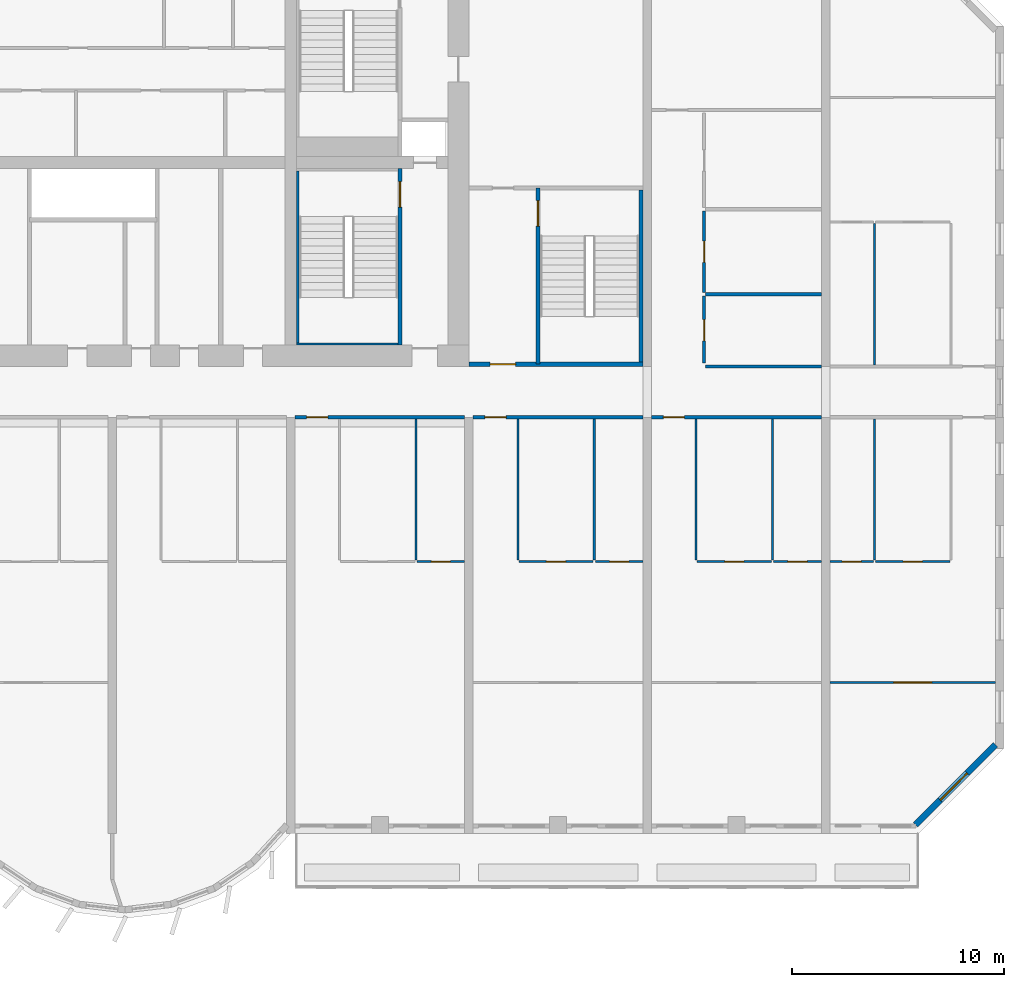
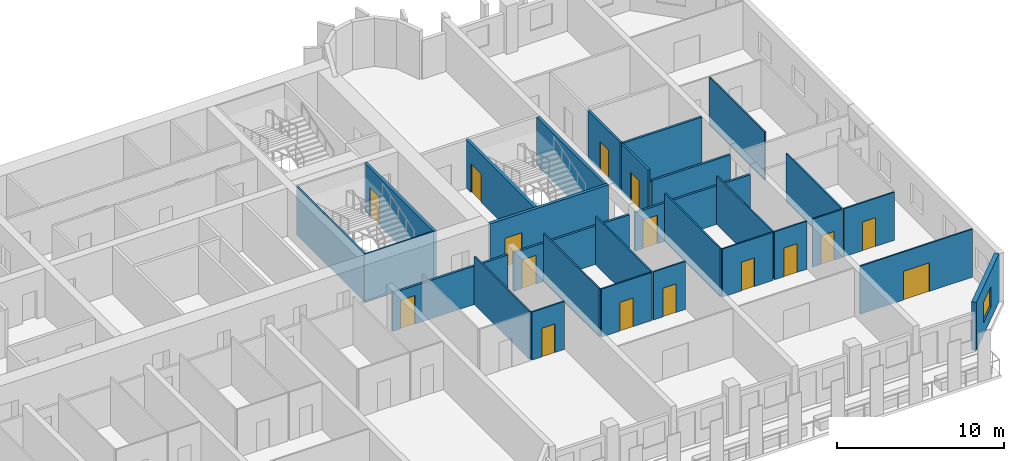
# One storey, part 9 of 15: 29 walls, 16 doors, 1 window, 17 openings.
"""IFC4 building model written with IfcOpenShell, lengths in metres."""

from ifc_helpers import new_model, si_unit, direction, frame, frame_2d, origin, place, context, subcontext, project, spatial, rectangle, extrude, source, transform, mapped, material, layer, layer_set, type_object, element, fill, save


model = new_model("IFC4")

# Units and contexts
model_context = context("Model", 3, precision=1e-05, world=origin(), true_north=direction((0.0, 1.0)))
body_context = subcontext(model_context, "Body", "Model", "MODEL_VIEW")
ifc_project = project(units=[si_unit("LENGTHUNIT", "METRE"), si_unit("AREAUNIT", "SQUARE_METRE"), si_unit("VOLUMEUNIT", "CUBIC_METRE"), si_unit("PLANEANGLEUNIT", "RADIAN"), si_unit("MASSUNIT", "GRAM", prefix="KILO")], contexts=[model_context])

# Site, building, storey
site_placement = place(None, origin())
site = spatial("IfcSite", under=ifc_project, at=site_placement, CompositionType="ELEMENT")
building_placement = place(site_placement, origin())
building = spatial("IfcBuilding", under=site, at=building_placement, Name="Vanashikhar Sky Hotel", CompositionType="ELEMENT")
storey_placement = place(building_placement, frame((0.0, 0.0, 62.0)))
storey = spatial("IfcBuildingStorey", under=building, at=storey_placement, Name="L14", CompositionType="ELEMENT", Elevation=62.0)

# Wall, opening, window
ifc_material_1 = material(Name="Concrete M50", Category="concrete")
ifc_layer_1 = layer(ifc_material_1, 0.300048828125)
ifc_layer_set_1 = layer_set([ifc_layer_1], Name="Lobe wall 300")
wall_type_1 = type_object("IfcWallType", Name="Lobe wall 300", PredefinedType="SOLIDWALL", material=ifc_layer_set_1)
shared_shape_1 = source(origin(), body_context, "Body", "SweptSolid", [
    extrude(rectangle(XDim=5.32568359375, YDim=0.300048828125, at=frame_2d((2.662841796875, 0.0))), origin(), (0.0, 0.0, 1.0), 3.52001953125),
])
wall_1_placement = place(storey_placement, frame((96.63427734375, 0.39990234375, 0.0), z_axis=(0.0, 0.0, 1.0), x_axis=(0.707083859269, 0.707129702361, 0.0)))
wall_1 = element("IfcWall", 1, at=wall_1_placement, inside=storey, type_object=wall_type_1, Name="Corner wall", PredefinedType="SOLIDWALL", context=body_context, shape_type="MappedRepresentation", body=[
    mapped(shared_shape_1, transform((0.0, 0.0, 0.0), scale=1.0)),
])
shared_shape_2 = source(origin(), body_context, "Body", "SweptSolid", [
    extrude(rectangle(XDim=1.800048828125, YDim=1.5, at=frame_2d((0.89990234375, 0.75))), frame((0.0, 0.16015625, 0.0), z_axis=(0.0, -1.0, 0.0), x_axis=(1.0, 0.0, 0.0)), (0.0, 0.0, 1.0), 0.320068359375),
])
opening_1_placement = place(wall_1_placement, frame((1.654296875, 0.0, 0.89990234375)))
opening_1 = element("IfcOpeningElement", 2, at=opening_1_placement, cuts=wall_1, Name="Opening WN-4", PredefinedType="OPENING", context=body_context, shape_type="MappedRepresentation", body=[
    mapped(shared_shape_2, transform((0.0, 0.0, 0.0), scale=1.0)),
])
ifc_material_2 = material(Name="Glass", Category="glass")
window_type = type_object("IfcWindowType", Name="Corner window 1800 x 1500", PartitioningType="SINGLE_PANEL", PredefinedType="WINDOW", material=ifc_material_2)
shared_shape_3 = source(origin(), body_context, "Body", "SweptSolid", [
    extrude(rectangle(XDim=1.800048828125, YDim=1.5, at=frame_2d((0.89990234375, 0.75))), frame((0.0, 0.030029296875, 0.0), z_axis=(0.0, -1.0, 0.0), x_axis=(1.0, 0.0, 0.0)), (0.0, 0.0, 1.0), 0.06005859375),
])
window_placement = place(opening_1_placement, origin())
window = element("IfcWindow", 3, at=window_placement, inside=storey, type_object=window_type, Name="Window WN-4", OverallHeight=1.5, OverallWidth=1.800048828125, PartitioningType="SINGLE_PANEL", PredefinedType="WINDOW", context=body_context, shape_type="MappedRepresentation", body=[
    mapped(shared_shape_3, transform((0.0, 0.0, 0.0), scale=1.0)),
])
fill(opening_1, window)

# Wall, opening, door
ifc_layer_2 = layer(ifc_material_1, 0.199951171875)
ifc_layer_set_2 = layer_set([ifc_layer_2], Name="Stair wall 200")
wall_type_2 = type_object("IfcWallType", Name="Stair wall 200", PredefinedType="SOLIDWALL", material=ifc_layer_set_2)
shared_shape_4 = source(origin(), body_context, "Body", "SweptSolid", [
    extrude(rectangle(XDim=8.199951171875, YDim=0.199951171875, at=frame_2d((4.10009765625, 0.0))), origin(), (0.0, 0.0, 1.0), 3.52001953125),
])
wall_2_placement = place(storey_placement, frame((83.800048828125, 22.10009765625, 0.0), z_axis=(0.0, 0.0, 1.0), x_axis=(-1.0, 0.0, 0.0)))
wall_2 = element("IfcWall", 4, at=wall_2_placement, inside=storey, type_object=wall_type_2, Name="Stair wall 200", PredefinedType="SOLIDWALL", context=body_context, shape_type="MappedRepresentation", body=[
    mapped(shared_shape_4, transform((0.0, 0.0, 0.0), scale=1.0)),
])
shared_shape_5 = source(origin(), body_context, "Body", "SweptSolid", [
    extrude(rectangle(XDim=1.199951171875, YDim=2.10009765625, at=frame_2d((0.60009765625, 1.050048828125))), frame((0.0, 0.10986328125, 0.0), z_axis=(0.0, -1.0, 0.0), x_axis=(1.0, 0.0, 0.0)), (0.0, 0.0, 1.0), 0.219970703125),
])
opening_2_placement = place(wall_2_placement, frame((6.0, 0.0, 0.0)))
opening_2 = element("IfcOpeningElement", 5, at=opening_2_placement, cuts=wall_2, Name="Opening DC-2", PredefinedType="OPENING", context=body_context, shape_type="MappedRepresentation", body=[
    mapped(shared_shape_5, transform((0.0, 0.0, 0.0), scale=1.0)),
])
ifc_material_3 = material(Name="Steel", Category="steel")
door_type_1 = type_object("IfcDoorType", Name="Firefighting lobby door 1200 FD120", OperationType="NOTDEFINED", PredefinedType="DOOR", material=ifc_material_3)
shared_shape_6 = source(origin(), body_context, "Body", "SweptSolid", [
    extrude(rectangle(XDim=1.199951171875, YDim=2.10009765625, at=frame_2d((0.60009765625, 1.050048828125))), frame((0.0, 0.02490234375, 0.0), z_axis=(0.0, -1.0, 0.0), x_axis=(1.0, 0.0, 0.0)), (0.0, 0.0, 1.0), 0.050048828125),
])
door_1_placement = place(opening_2_placement, origin())
door_1 = element("IfcDoor", 6, at=door_1_placement, inside=storey, type_object=door_type_1, Name="Firefighting lobby door 1200 FD120", OperationType="SINGLE_SWING_RIGHT", OverallHeight=2.10009765625, OverallWidth=1.199951171875, PredefinedType="DOOR", context=body_context, shape_type="MappedRepresentation", body=[
    mapped(shared_shape_6, transform((0.0, 0.0, 0.0), scale=1.0)),
])
fill(opening_2, door_1)

shared_shape_7 = source(origin(), body_context, "Body", "SweptSolid", [
    extrude(rectangle(XDim=8.2998046875, YDim=0.199951171875, at=frame_2d((4.14990234375, 0.0))), origin(), (0.0, 0.0, 1.0), 3.52001953125),
])
wall_3_placement = place(storey_placement, frame((78.85009765625, 22.10009765625, 0.0), z_axis=(0.0, 0.0, 1.0), x_axis=(0.0, 1.0, 0.0)))
wall_3 = element("IfcWall", 7, at=wall_3_placement, inside=storey, type_object=wall_type_2, Name="Stair wall 200", PredefinedType="SOLIDWALL", context=body_context, shape_type="MappedRepresentation", body=[
    mapped(shared_shape_7, transform((0.0, 0.0, 0.0), scale=1.0)),
])
opening_3_placement = place(wall_3_placement, frame((6.5, 0.0, 0.0)))
opening_3 = element("IfcOpeningElement", 8, at=opening_3_placement, cuts=wall_3, Name="Opening DC-1", PredefinedType="OPENING", context=body_context, shape_type="MappedRepresentation", body=[
    mapped(shared_shape_5, transform((0.0, 0.0, 0.0), scale=1.0)),
])
door_type_2 = type_object("IfcDoorType", Name="Stair door 1200 FD120", OperationType="NOTDEFINED", PredefinedType="DOOR", material=ifc_material_3)
door_2_placement = place(opening_3_placement, origin())
door_2 = element("IfcDoor", 9, at=door_2_placement, inside=storey, type_object=door_type_2, Name="Stair door 1200 FD120", OperationType="SINGLE_SWING_RIGHT", OverallHeight=2.10009765625, OverallWidth=1.199951171875, PredefinedType="DOOR", context=body_context, shape_type="MappedRepresentation", body=[
    mapped(shared_shape_6, transform((0.0, 0.0, 0.0), scale=1.0)),
])
fill(opening_3, door_2)

shared_shape_8 = source(origin(), body_context, "Body", "SweptSolid", [
    extrude(rectangle(XDim=8.324951171875, YDim=0.199951171875, at=frame_2d((4.16259765625, 0.0))), origin(), (0.0, 0.0, 1.0), 3.52001953125),
])
wall_4_placement = place(storey_placement, frame((72.35009765625, 23.0, 0.0), z_axis=(0.0, 0.0, 1.0), x_axis=(0.0, 1.0, 0.0)))
wall_4 = element("IfcWall", 10, at=wall_4_placement, inside=storey, type_object=wall_type_2, Name="Stair wall 200", PredefinedType="SOLIDWALL", context=body_context, shape_type="MappedRepresentation", body=[
    mapped(shared_shape_8, transform((0.0, 0.0, 0.0), scale=1.0)),
])
opening_4_placement = place(wall_4_placement, frame((6.5, 0.0, 0.0)))
opening_4 = element("IfcOpeningElement", 11, at=opening_4_placement, cuts=wall_4, Name="Opening DC-1", PredefinedType="OPENING", context=body_context, shape_type="MappedRepresentation", body=[
    mapped(shared_shape_5, transform((0.0, 0.0, 0.0), scale=1.0)),
])
door_3_placement = place(opening_4_placement, origin())
door_3 = element("IfcDoor", 12, at=door_3_placement, inside=storey, type_object=door_type_2, Name="Stair door 1200 FD120", OperationType="SINGLE_SWING_LEFT", OverallHeight=2.10009765625, OverallWidth=1.199951171875, PredefinedType="DOOR", context=body_context, shape_type="MappedRepresentation", body=[
    mapped(shared_shape_6, transform((0.0, 0.0, 0.0), scale=1.0)),
])
fill(opening_4, door_3)

# Walls
ifc_layer_3 = layer(ifc_material_1, 0.10009765625)
ifc_layer_set_3 = layer_set([ifc_layer_3], Name="Stair infill wall 100")
wall_type_3 = type_object("IfcWallType", Name="Stair infill wall 100", PredefinedType="SOLIDWALL", material=ifc_layer_set_3)
shared_shape_9 = source(origin(), body_context, "Body", "SweptSolid", [
    extrude(rectangle(XDim=4.77490234375, YDim=0.10009765625, at=frame_2d((2.387451171875, 0.0))), origin(), (0.0, 0.0, 1.0), 3.52001953125),
])
wall_5_placement = place(storey_placement, frame((67.47509765625, 23.050048828125, 0.0), z_axis=(0.0, 0.0, 1.0), x_axis=(1.0, 0.0, 0.0)))
element("IfcWall", 13, at=wall_5_placement, inside=storey, type_object=wall_type_3, Name="Stair infill wall 100", PredefinedType="SOLIDWALL", context=body_context, shape_type="MappedRepresentation", body=[
    mapped(shared_shape_9, transform((0.0, 0.0, 0.0), scale=1.0)),
])
ifc_layer_4 = layer(ifc_material_1, 0.125)
ifc_layer_set_4 = layer_set([ifc_layer_4], Name="Stair infill wall 125")
wall_type_4 = type_object("IfcWallType", Name="Stair infill wall 125", PredefinedType="SOLIDWALL", material=ifc_layer_set_4)
shared_shape_10 = source(origin(), body_context, "Body", "SweptSolid", [
    extrude(rectangle(XDim=8.099853515625, YDim=0.125, at=frame_2d((4.0498046875, 0.0))), origin(), (0.0, 0.0, 1.0), 3.52001953125),
])
wall_6_placement = place(storey_placement, frame((67.537109375, 23.10009765625, 0.0), z_axis=(0.0, 0.0, 1.0), x_axis=(0.0, 1.0, 0.0)))
element("IfcWall", 14, at=wall_6_placement, inside=storey, type_object=wall_type_4, Name="Stair infill wall 125", PredefinedType="SOLIDWALL", context=body_context, shape_type="MappedRepresentation", body=[
    mapped(shared_shape_10, transform((0.0, 0.0, 0.0), scale=1.0)),
])
ifc_layer_5 = layer(ifc_material_1, 0.199951171875)
ifc_layer_set_5 = layer_set([ifc_layer_5], Name="Stair infill wall 200")
wall_type_5 = type_object("IfcWallType", Name="Stair infill wall 200", PredefinedType="SOLIDWALL", material=ifc_layer_set_5)
shared_shape_11 = source(origin(), body_context, "Body", "SweptSolid", [
    extrude(rectangle(XDim=8.10009765625, YDim=0.199951171875, at=frame_2d((4.050048828125, 0.0))), origin(), (0.0, 0.0, 1.0), 3.52001953125),
])
wall_7_placement = place(storey_placement, frame((83.699951171875, 22.199951171875, 0.0), z_axis=(0.0, 0.0, 1.0), x_axis=(0.0, 1.0, 0.0)))
element("IfcWall", 15, at=wall_7_placement, inside=storey, type_object=wall_type_5, Name="Stair infill wall 200", PredefinedType="SOLIDWALL", context=body_context, shape_type="MappedRepresentation", body=[
    mapped(shared_shape_11, transform((0.0, 0.0, 0.0), scale=1.0)),
])

# Wall, opening, door
ifc_material_4 = material(Name="Gypsum plasterboard partition")
ifc_layer_6 = layer(ifc_material_4, 0.10009765625)
ifc_layer_set_6 = layer_set([ifc_layer_6], Name="Wet room partition 100")
wall_type_6 = type_object("IfcWallType", Name="Wet room partition 100", PredefinedType="PARTITIONING", material=ifc_layer_set_6)
shared_shape_12 = source(origin(), body_context, "Body", "SweptSolid", [
    extrude(rectangle(XDim=2.0498046875, YDim=0.10009765625, at=frame_2d((1.02490234375, 0.0))), origin(), (0.0, 0.0, 1.0), 3.52001953125),
])
wall_8_placement = place(storey_placement, frame((92.60009765625, 12.800048828125, 0.0), z_axis=(0.0, 0.0, 1.0), x_axis=(1.0, 0.0, 0.0)))
wall_8 = element("IfcWall", 16, at=wall_8_placement, inside=storey, type_object=wall_type_6, Name="W-L14-PW065", PredefinedType="PARTITIONING", context=body_context, shape_type="MappedRepresentation", body=[
    mapped(shared_shape_12, transform((0.0, 0.0, 0.0), scale=1.0)),
])
shared_shape_13 = source(origin(), body_context, "Body", "SweptSolid", [
    extrude(rectangle(XDim=0.89990234375, YDim=2.10009765625, at=frame_2d((0.449951171875, 1.050048828125))), frame((0.0, 0.06005859375, 0.0), z_axis=(0.0, -1.0, 0.0), x_axis=(1.0, 0.0, 0.0)), (0.0, 0.0, 1.0), 0.1201171875),
])
opening_5_placement = place(wall_8_placement, frame((0.574951171875, 0.0, 0.0)))
opening_5 = element("IfcOpeningElement", 17, at=opening_5_placement, cuts=wall_8, Name="Opening D-02", PredefinedType="OPENING", context=body_context, shape_type="MappedRepresentation", body=[
    mapped(shared_shape_13, transform((0.0, 0.0, 0.0), scale=1.0)),
])
ifc_material_5 = material(Name="Timber door", Category="wood")
door_type_3 = type_object("IfcDoorType", Name="Internal door 900", OperationType="NOTDEFINED", PredefinedType="DOOR", material=ifc_material_5)
shared_shape_14 = source(origin(), body_context, "Body", "SweptSolid", [
    extrude(rectangle(XDim=0.89990234375, YDim=2.10009765625, at=frame_2d((0.449951171875, 1.050048828125))), frame((0.0, 0.02490234375, 0.0), z_axis=(0.0, -1.0, 0.0), x_axis=(1.0, 0.0, 0.0)), (0.0, 0.0, 1.0), 0.050048828125),
])
door_4_placement = place(opening_5_placement, origin())
door_4 = element("IfcDoor", 18, at=door_4_placement, inside=storey, type_object=door_type_3, Name="D-L14-040", OperationType="SINGLE_SWING_RIGHT", OverallHeight=2.10009765625, OverallWidth=0.89990234375, PredefinedType="DOOR", context=body_context, shape_type="MappedRepresentation", body=[
    mapped(shared_shape_14, transform((0.0, 0.0, 0.0), scale=1.0)),
])
fill(opening_5, door_4)

shared_shape_15 = source(origin(), body_context, "Body", "SweptSolid", [
    extrude(rectangle(XDim=3.5, YDim=0.10009765625, at=frame_2d((1.75, 0.0))), origin(), (0.0, 0.0, 1.0), 3.52001953125),
])
wall_9_placement = place(storey_placement, frame((77.949951171875, 12.800048828125, 0.0), z_axis=(0.0, 0.0, 1.0), x_axis=(1.0, 0.0, 0.0)))
wall_9 = element("IfcWall", 19, at=wall_9_placement, inside=storey, type_object=wall_type_6, Name="W-L14-PW052", PredefinedType="PARTITIONING", context=body_context, shape_type="MappedRepresentation", body=[
    mapped(shared_shape_15, transform((0.0, 0.0, 0.0), scale=1.0)),
])
opening_6_placement = place(wall_9_placement, frame((1.300048828125, 0.0, 0.0)))
opening_6 = element("IfcOpeningElement", 20, at=opening_6_placement, cuts=wall_9, Name="Opening D-02", PredefinedType="OPENING", context=body_context, shape_type="MappedRepresentation", body=[
    mapped(shared_shape_13, transform((0.0, 0.0, 0.0), scale=1.0)),
])
door_5_placement = place(opening_6_placement, origin())
door_5 = element("IfcDoor", 21, at=door_5_placement, inside=storey, type_object=door_type_3, Name="D-L14-031", OperationType="SINGLE_SWING_LEFT", OverallHeight=2.10009765625, OverallWidth=0.89990234375, PredefinedType="DOOR", context=body_context, shape_type="MappedRepresentation", body=[
    mapped(shared_shape_14, transform((0.0, 0.0, 0.0), scale=1.0)),
])
fill(opening_6, door_5)

wall_10_placement = place(storey_placement, frame((86.35009765625, 12.800048828125, 0.0), z_axis=(0.0, 0.0, 1.0), x_axis=(1.0, 0.0, 0.0)))
wall_10 = element("IfcWall", 22, at=wall_10_placement, inside=storey, type_object=wall_type_6, Name="W-L14-PW058", PredefinedType="PARTITIONING", context=body_context, shape_type="MappedRepresentation", body=[
    mapped(shared_shape_15, transform((0.0, 0.0, 0.0), scale=1.0)),
])
opening_7_placement = place(wall_10_placement, frame((1.300048828125, 0.0, 0.0)))
opening_7 = element("IfcOpeningElement", 23, at=opening_7_placement, cuts=wall_10, Name="Opening D-02", PredefinedType="OPENING", context=body_context, shape_type="MappedRepresentation", body=[
    mapped(shared_shape_13, transform((0.0, 0.0, 0.0), scale=1.0)),
])
door_6_placement = place(opening_7_placement, origin())
door_6 = element("IfcDoor", 24, at=door_6_placement, inside=storey, type_object=door_type_3, Name="D-L14-035", OperationType="SINGLE_SWING_LEFT", OverallHeight=2.10009765625, OverallWidth=0.89990234375, PredefinedType="DOOR", context=body_context, shape_type="MappedRepresentation", body=[
    mapped(shared_shape_14, transform((0.0, 0.0, 0.0), scale=1.0)),
])
fill(opening_7, door_6)

wall_11_placement = place(storey_placement, frame((94.75, 12.800048828125, 0.0), z_axis=(0.0, 0.0, 1.0), x_axis=(1.0, 0.0, 0.0)))
wall_11 = element("IfcWall", 25, at=wall_11_placement, inside=storey, type_object=wall_type_6, Name="W-L14-PW064", PredefinedType="PARTITIONING", context=body_context, shape_type="MappedRepresentation", body=[
    mapped(shared_shape_15, transform((0.0, 0.0, 0.0), scale=1.0)),
])
opening_8_placement = place(wall_11_placement, frame((1.300048828125, 0.0, 0.0)))
opening_8 = element("IfcOpeningElement", 26, at=opening_8_placement, cuts=wall_11, Name="Opening D-02", PredefinedType="OPENING", context=body_context, shape_type="MappedRepresentation", body=[
    mapped(shared_shape_13, transform((0.0, 0.0, 0.0), scale=1.0)),
])
door_7_placement = place(opening_8_placement, origin())
door_7 = element("IfcDoor", 27, at=door_7_placement, inside=storey, type_object=door_type_3, Name="D-L14-039", OperationType="SINGLE_SWING_RIGHT", OverallHeight=2.10009765625, OverallWidth=0.89990234375, PredefinedType="DOOR", context=body_context, shape_type="MappedRepresentation", body=[
    mapped(shared_shape_14, transform((0.0, 0.0, 0.0), scale=1.0)),
])
fill(opening_8, door_7)

ifc_layer_7 = layer(ifc_material_4, 0.14990234375)
ifc_layer_set_7 = layer_set([ifc_layer_7], Name="Corridor and demising partition 150")
wall_type_7 = type_object("IfcWallType", Name="Corridor and demising partition 150", PredefinedType="PARTITIONING", material=ifc_layer_set_7)
shared_shape_16 = source(origin(), body_context, "Body", "SweptSolid", [
    extrude(rectangle(XDim=3.175048828125, YDim=0.14990234375, at=frame_2d((1.58740234375, 0.0))), origin(), (0.0, 0.0, 1.0), 3.52001953125),
])
wall_12_placement = place(storey_placement, frame((86.675048828125, 22.14990234375, 0.0), z_axis=(0.0, 0.0, 1.0), x_axis=(0.0, 1.0, 0.0)))
wall_12 = element("IfcWall", 28, at=wall_12_placement, inside=storey, type_object=wall_type_7, Name="W-L14-PW084", PredefinedType="PARTITIONING", context=body_context, shape_type="MappedRepresentation", body=[
    mapped(shared_shape_16, transform((0.0, 0.0, 0.0), scale=1.0)),
])
shared_shape_17 = source(origin(), body_context, "Body", "SweptSolid", [
    extrude(rectangle(XDim=1.0, YDim=2.10009765625, at=frame_2d((0.5, 1.050048828125))), frame((0.0, 0.0849609375, 0.0), z_axis=(0.0, -1.0, 0.0), x_axis=(1.0, 0.0, 0.0)), (0.0, 0.0, 1.0), 0.169921875),
])
opening_9_placement = place(wall_12_placement, frame((1.050048828125, 0.0, 0.0)))
opening_9 = element("IfcOpeningElement", 29, at=opening_9_placement, cuts=wall_12, Name="Opening D-01", PredefinedType="OPENING", context=body_context, shape_type="MappedRepresentation", body=[
    mapped(shared_shape_17, transform((0.0, 0.0, 0.0), scale=1.0)),
])
ifc_material_6 = material(Name="Timber fire door", Category="wood")
door_type_4 = type_object("IfcDoorType", Name="Guest entry door 1000 FD30S", OperationType="NOTDEFINED", PredefinedType="DOOR", material=ifc_material_6)
shared_shape_18 = source(origin(), body_context, "Body", "SweptSolid", [
    extrude(rectangle(XDim=1.0, YDim=2.10009765625, at=frame_2d((0.5, 1.050048828125))), frame((0.0, 0.02490234375, 0.0), z_axis=(0.0, -1.0, 0.0), x_axis=(1.0, 0.0, 0.0)), (0.0, 0.0, 1.0), 0.050048828125),
])
door_8_placement = place(opening_9_placement, origin())
door_8 = element("IfcDoor", 30, at=door_8_placement, inside=storey, type_object=door_type_4, Name="D-L14-051", OperationType="SINGLE_SWING_LEFT", OverallHeight=2.10009765625, OverallWidth=1.0, PredefinedType="DOOR", context=body_context, shape_type="MappedRepresentation", body=[
    mapped(shared_shape_18, transform((0.0, 0.0, 0.0), scale=1.0)),
])
fill(opening_9, door_8)

shared_shape_19 = source(origin(), body_context, "Body", "SweptSolid", [
    extrude(rectangle(XDim=3.849853515625, YDim=0.14990234375, at=frame_2d((1.9248046875, 0.0))), origin(), (0.0, 0.0, 1.0), 3.52001953125),
])
wall_13_placement = place(storey_placement, frame((86.675048828125, 25.47509765625, 0.0), z_axis=(0.0, 0.0, 1.0), x_axis=(0.0, 1.0, 0.0)))
wall_13 = element("IfcWall", 31, at=wall_13_placement, inside=storey, type_object=wall_type_7, Name="W-L14-PW086", PredefinedType="PARTITIONING", context=body_context, shape_type="MappedRepresentation", body=[
    mapped(shared_shape_19, transform((0.0, 0.0, 0.0), scale=1.0)),
])
opening_10_placement = place(wall_13_placement, frame((1.425048828125, 0.0, 0.0)))
opening_10 = element("IfcOpeningElement", 32, at=opening_10_placement, cuts=wall_13, Name="Opening D-01", PredefinedType="OPENING", context=body_context, shape_type="MappedRepresentation", body=[
    mapped(shared_shape_17, transform((0.0, 0.0, 0.0), scale=1.0)),
])
door_9_placement = place(opening_10_placement, origin())
door_9 = element("IfcDoor", 33, at=door_9_placement, inside=storey, type_object=door_type_4, Name="D-L14-052", OperationType="SINGLE_SWING_LEFT", OverallHeight=2.10009765625, OverallWidth=1.0, PredefinedType="DOOR", context=body_context, shape_type="MappedRepresentation", body=[
    mapped(shared_shape_18, transform((0.0, 0.0, 0.0), scale=1.0)),
])
fill(opening_10, door_9)

shared_shape_20 = source(origin(), body_context, "Body", "SweptSolid", [
    extrude(rectangle(XDim=8.0, YDim=0.14990234375, at=frame_2d((4.0, 0.0))), origin(), (0.0, 0.0, 1.0), 2.820068359375),
])
wall_14_placement = place(storey_placement, frame((67.39990234375, 19.60009765625, 0.0), z_axis=(0.0, 0.0, 1.0), x_axis=(1.0, 0.0, 0.0)))
wall_14 = element("IfcWall", 34, at=wall_14_placement, inside=storey, type_object=wall_type_7, Name="W-L14-PW049", PredefinedType="PARTITIONING", context=body_context, shape_type="MappedRepresentation", body=[
    mapped(shared_shape_20, transform((0.0, 0.0, 0.0), scale=1.0)),
])
opening_11_placement = place(wall_14_placement, frame((0.550048828125, 0.0, 0.0)))
opening_11 = element("IfcOpeningElement", 35, at=opening_11_placement, cuts=wall_14, Name="Opening D-01", PredefinedType="OPENING", context=body_context, shape_type="MappedRepresentation", body=[
    mapped(shared_shape_17, transform((0.0, 0.0, 0.0), scale=1.0)),
])
door_10_placement = place(opening_11_placement, origin())
door_10 = element("IfcDoor", 36, at=door_10_placement, inside=storey, type_object=door_type_4, Name="D-L14-030", OperationType="SINGLE_SWING_LEFT", OverallHeight=2.10009765625, OverallWidth=1.0, PredefinedType="DOOR", context=body_context, shape_type="MappedRepresentation", body=[
    mapped(shared_shape_18, transform((0.0, 0.0, 0.0), scale=1.0)),
])
fill(opening_11, door_10)

wall_15_placement = place(storey_placement, frame((75.800048828125, 19.60009765625, 0.0), z_axis=(0.0, 0.0, 1.0), x_axis=(1.0, 0.0, 0.0)))
wall_15 = element("IfcWall", 37, at=wall_15_placement, inside=storey, type_object=wall_type_7, Name="W-L14-PW055", PredefinedType="PARTITIONING", context=body_context, shape_type="MappedRepresentation", body=[
    mapped(shared_shape_20, transform((0.0, 0.0, 0.0), scale=1.0)),
])
opening_12_placement = place(wall_15_placement, frame((0.550048828125, 0.0, 0.0)))
opening_12 = element("IfcOpeningElement", 38, at=opening_12_placement, cuts=wall_15, Name="Opening D-01", PredefinedType="OPENING", context=body_context, shape_type="MappedRepresentation", body=[
    mapped(shared_shape_17, transform((0.0, 0.0, 0.0), scale=1.0)),
])
door_11_placement = place(opening_12_placement, origin())
door_11 = element("IfcDoor", 39, at=door_11_placement, inside=storey, type_object=door_type_4, Name="D-L14-034", OperationType="SINGLE_SWING_LEFT", OverallHeight=2.10009765625, OverallWidth=1.0, PredefinedType="DOOR", context=body_context, shape_type="MappedRepresentation", body=[
    mapped(shared_shape_18, transform((0.0, 0.0, 0.0), scale=1.0)),
])
fill(opening_12, door_11)

wall_16_placement = place(storey_placement, frame((84.199951171875, 19.60009765625, 0.0), z_axis=(0.0, 0.0, 1.0), x_axis=(1.0, 0.0, 0.0)))
wall_16 = element("IfcWall", 40, at=wall_16_placement, inside=storey, type_object=wall_type_7, Name="W-L14-PW061", PredefinedType="PARTITIONING", context=body_context, shape_type="MappedRepresentation", body=[
    mapped(shared_shape_20, transform((0.0, 0.0, 0.0), scale=1.0)),
])
opening_13_placement = place(wall_16_placement, frame((0.550048828125, 0.0, 0.0)))
opening_13 = element("IfcOpeningElement", 41, at=opening_13_placement, cuts=wall_16, Name="Opening D-01", PredefinedType="OPENING", context=body_context, shape_type="MappedRepresentation", body=[
    mapped(shared_shape_17, transform((0.0, 0.0, 0.0), scale=1.0)),
])
door_12_placement = place(opening_13_placement, origin())
door_12 = element("IfcDoor", 42, at=door_12_placement, inside=storey, type_object=door_type_4, Name="D-L14-038", OperationType="SINGLE_SWING_LEFT", OverallHeight=2.10009765625, OverallWidth=1.0, PredefinedType="DOOR", context=body_context, shape_type="MappedRepresentation", body=[
    mapped(shared_shape_18, transform((0.0, 0.0, 0.0), scale=1.0)),
])
fill(opening_13, door_12)

# Walls
shared_shape_21 = source(origin(), body_context, "Body", "SweptSolid", [
    extrude(rectangle(XDim=5.449951171875, YDim=0.14990234375, at=frame_2d((2.72509765625, 0.0))), origin(), (0.0, 0.0, 1.0), 2.820068359375),
])
wall_17_placement = place(storey_placement, frame((86.75, 22.0, 0.0), z_axis=(0.0, 0.0, 1.0), x_axis=(1.0, 0.0, 0.0)))
element("IfcWall", 43, at=wall_17_placement, inside=storey, type_object=wall_type_7, Name="W-L14-PW083", PredefinedType="PARTITIONING", context=body_context, shape_type="MappedRepresentation", body=[
    mapped(shared_shape_21, transform((0.0, 0.0, 0.0), scale=1.0)),
])
shared_shape_22 = source(origin(), body_context, "Body", "SweptSolid", [
    extrude(rectangle(XDim=5.449951171875, YDim=0.14990234375, at=frame_2d((2.72509765625, 0.0))), origin(), (0.0, 0.0, 1.0), 3.52001953125),
])
wall_18_placement = place(storey_placement, frame((86.75, 25.39990234375, 0.0), z_axis=(0.0, 0.0, 1.0), x_axis=(1.0, 0.0, 0.0)))
element("IfcWall", 44, at=wall_18_placement, inside=storey, type_object=wall_type_7, Name="W-L14-PW085", PredefinedType="PARTITIONING", context=body_context, shape_type="MappedRepresentation", body=[
    mapped(shared_shape_22, transform((0.0, 0.0, 0.0), scale=1.0)),
])
shared_shape_23 = source(origin(), body_context, "Body", "SweptSolid", [
    extrude(rectangle(XDim=6.64990234375, YDim=0.10009765625, at=frame_2d((3.324951171875, 0.0))), origin(), (0.0, 0.0, 1.0), 3.52001953125),
])
for number, where, z_axis, x_axis, name in (
    (45, (73.10009765625, 12.875, 0.0), (0.0, 0.0, 1.0), (0.0, 1.0, 0.0), "W-L14-PW046"),
    (46, (77.89990234375, 12.875, 0.0), (0.0, 0.0, 1.0), (0.0, 1.0, 0.0), "W-L14-PW050"),
    (47, (81.5, 12.875, 0.0), (0.0, 0.0, 1.0), (0.0, 1.0, 0.0), "W-L14-PW051"),
    (48, (86.300048828125, 12.875, 0.0), (0.0, 0.0, 1.0), (0.0, 1.0, 0.0), "W-L14-PW056"),
    (49, (89.89990234375, 12.875, 0.0), (0.0, 0.0, 1.0), (0.0, 1.0, 0.0), "W-L14-PW057"),
    (50, (94.699951171875, 12.875, 0.0), (0.0, 0.0, 1.0), (0.0, 1.0, 0.0), "W-L14-PW063"),
):
    element("IfcWall", number, at=place(storey_placement, frame(where, z_axis=z_axis, x_axis=x_axis)), inside=storey, type_object=wall_type_6, Name=name, PredefinedType="PARTITIONING", context=body_context, shape_type="MappedRepresentation", body=[
        mapped(shared_shape_23, transform((0.0, 0.0, 0.0), scale=1.0)),
    ])

# Wall, opening, door
shared_shape_24 = source(origin(), body_context, "Body", "SweptSolid", [
    extrude(rectangle(XDim=2.25, YDim=0.10009765625, at=frame_2d((1.125, 0.0))), origin(), (0.0, 0.0, 1.0), 3.52001953125),
])
wall_19_placement = place(storey_placement, frame((73.14990234375, 12.800048828125, 0.0), z_axis=(0.0, 0.0, 1.0), x_axis=(1.0, 0.0, 0.0)))
wall_19 = element("IfcWall", 51, at=wall_19_placement, inside=storey, type_object=wall_type_6, Name="W-L14-PW048", PredefinedType="PARTITIONING", context=body_context, shape_type="MappedRepresentation", body=[
    mapped(shared_shape_24, transform((0.0, 0.0, 0.0), scale=1.0)),
])
opening_14_placement = place(wall_19_placement, frame((0.675048828125, 0.0, 0.0)))
opening_14 = element("IfcOpeningElement", 52, at=opening_14_placement, cuts=wall_19, Name="Opening D-02", PredefinedType="OPENING", context=body_context, shape_type="MappedRepresentation", body=[
    mapped(shared_shape_13, transform((0.0, 0.0, 0.0), scale=1.0)),
])
door_13_placement = place(opening_14_placement, origin())
door_13 = element("IfcDoor", 53, at=door_13_placement, inside=storey, type_object=door_type_3, Name="D-L14-029", OperationType="SINGLE_SWING_LEFT", OverallHeight=2.10009765625, OverallWidth=0.89990234375, PredefinedType="DOOR", context=body_context, shape_type="MappedRepresentation", body=[
    mapped(shared_shape_14, transform((0.0, 0.0, 0.0), scale=1.0)),
])
fill(opening_14, door_13)

wall_20_placement = place(storey_placement, frame((81.550048828125, 12.800048828125, 0.0), z_axis=(0.0, 0.0, 1.0), x_axis=(1.0, 0.0, 0.0)))
wall_20 = element("IfcWall", 54, at=wall_20_placement, inside=storey, type_object=wall_type_6, Name="W-L14-PW053", PredefinedType="PARTITIONING", context=body_context, shape_type="MappedRepresentation", body=[
    mapped(shared_shape_24, transform((0.0, 0.0, 0.0), scale=1.0)),
])
opening_15_placement = place(wall_20_placement, frame((0.675048828125, 0.0, 0.0)))
opening_15 = element("IfcOpeningElement", 55, at=opening_15_placement, cuts=wall_20, Name="Opening D-02", PredefinedType="OPENING", context=body_context, shape_type="MappedRepresentation", body=[
    mapped(shared_shape_13, transform((0.0, 0.0, 0.0), scale=1.0)),
])
door_14_placement = place(opening_15_placement, origin())
door_14 = element("IfcDoor", 56, at=door_14_placement, inside=storey, type_object=door_type_3, Name="D-L14-032", OperationType="SINGLE_SWING_LEFT", OverallHeight=2.10009765625, OverallWidth=0.89990234375, PredefinedType="DOOR", context=body_context, shape_type="MappedRepresentation", body=[
    mapped(shared_shape_14, transform((0.0, 0.0, 0.0), scale=1.0)),
])
fill(opening_15, door_14)

wall_21_placement = place(storey_placement, frame((89.949951171875, 12.800048828125, 0.0), z_axis=(0.0, 0.0, 1.0), x_axis=(1.0, 0.0, 0.0)))
wall_21 = element("IfcWall", 57, at=wall_21_placement, inside=storey, type_object=wall_type_6, Name="W-L14-PW059", PredefinedType="PARTITIONING", context=body_context, shape_type="MappedRepresentation", body=[
    mapped(shared_shape_24, transform((0.0, 0.0, 0.0), scale=1.0)),
])
opening_16_placement = place(wall_21_placement, frame((0.675048828125, 0.0, 0.0)))
opening_16 = element("IfcOpeningElement", 58, at=opening_16_placement, cuts=wall_21, Name="Opening D-02", PredefinedType="OPENING", context=body_context, shape_type="MappedRepresentation", body=[
    mapped(shared_shape_13, transform((0.0, 0.0, 0.0), scale=1.0)),
])
door_15_placement = place(opening_16_placement, origin())
door_15 = element("IfcDoor", 59, at=door_15_placement, inside=storey, type_object=door_type_3, Name="D-L14-036", OperationType="SINGLE_SWING_LEFT", OverallHeight=2.10009765625, OverallWidth=0.89990234375, PredefinedType="DOOR", context=body_context, shape_type="MappedRepresentation", body=[
    mapped(shared_shape_14, transform((0.0, 0.0, 0.0), scale=1.0)),
])
fill(opening_16, door_15)

shared_shape_25 = source(origin(), body_context, "Body", "SweptSolid", [
    extrude(rectangle(XDim=7.7998046875, YDim=0.10009765625, at=frame_2d((3.89990234375, 0.0))), origin(), (0.0, 0.0, 1.0), 3.52001953125),
])
wall_22_placement = place(storey_placement, frame((92.60009765625, 7.10791015625, 0.0), z_axis=(0.0, 0.0, 1.0), x_axis=(1.0, 0.0, 0.0)))
wall_22 = element("IfcWall", 60, at=wall_22_placement, inside=storey, type_object=wall_type_6, Name="W-L14-PW066", PredefinedType="PARTITIONING", context=body_context, shape_type="MappedRepresentation", body=[
    mapped(shared_shape_25, transform((0.0, 0.0, 0.0), scale=1.0)),
])
shared_shape_26 = source(origin(), body_context, "Body", "SweptSolid", [
    extrude(rectangle(XDim=1.800048828125, YDim=2.10009765625, at=frame_2d((0.89990234375, 1.050048828125))), frame((0.0, 0.06005859375, 0.0), z_axis=(0.0, -1.0, 0.0), x_axis=(1.0, 0.0, 0.0)), (0.0, 0.0, 1.0), 0.1201171875),
])
opening_17_placement = place(wall_22_placement, frame((3.0, 0.0, 0.0)))
opening_17 = element("IfcOpeningElement", 61, at=opening_17_placement, cuts=wall_22, Name="Opening D-08", PredefinedType="OPENING", context=body_context, shape_type="MappedRepresentation", body=[
    mapped(shared_shape_26, transform((0.0, 0.0, 0.0), scale=1.0)),
])
door_type_5 = type_object("IfcDoorType", Name="Double leaf door 1800", OperationType="NOTDEFINED", PredefinedType="DOOR", material=ifc_material_5)
shared_shape_27 = source(origin(), body_context, "Body", "SweptSolid", [
    extrude(rectangle(XDim=1.800048828125, YDim=2.10009765625, at=frame_2d((0.89990234375, 1.050048828125))), frame((0.0, 0.02490234375, 0.0), z_axis=(0.0, -1.0, 0.0), x_axis=(1.0, 0.0, 0.0)), (0.0, 0.0, 1.0), 0.050048828125),
])
door_16_placement = place(opening_17_placement, origin())
door_16 = element("IfcDoor", 62, at=door_16_placement, inside=storey, type_object=door_type_5, Name="D-L14-041", OperationType="DOUBLE_DOOR_SINGLE_SWING", OverallHeight=2.10009765625, OverallWidth=1.800048828125, PredefinedType="DOOR", context=body_context, shape_type="MappedRepresentation", body=[
    mapped(shared_shape_27, transform((0.0, 0.0, 0.0), scale=1.0)),
])
fill(opening_17, door_16)

# Wall
shared_shape_28 = source(origin(), body_context, "Body", "SweptSolid", [
    extrude(rectangle(XDim=6.650146484375, YDim=0.10009765625, at=frame_2d((3.3251953125, 0.0))), origin(), (0.0, 0.0, 1.0), 3.52001953125),
])
wall_23_placement = place(storey_placement, frame((94.699951171875, 22.074951171875, 0.0), z_axis=(0.0, 0.0, 1.0), x_axis=(0.0, 1.0, 0.0)))
element("IfcWall", 63, at=wall_23_placement, inside=storey, type_object=wall_type_6, Name="W-L14-PW091", PredefinedType="PARTITIONING", context=body_context, shape_type="MappedRepresentation", body=[
    mapped(shared_shape_28, transform((0.0, 0.0, 0.0), scale=1.0)),
])

save(model, "model.ifc")
